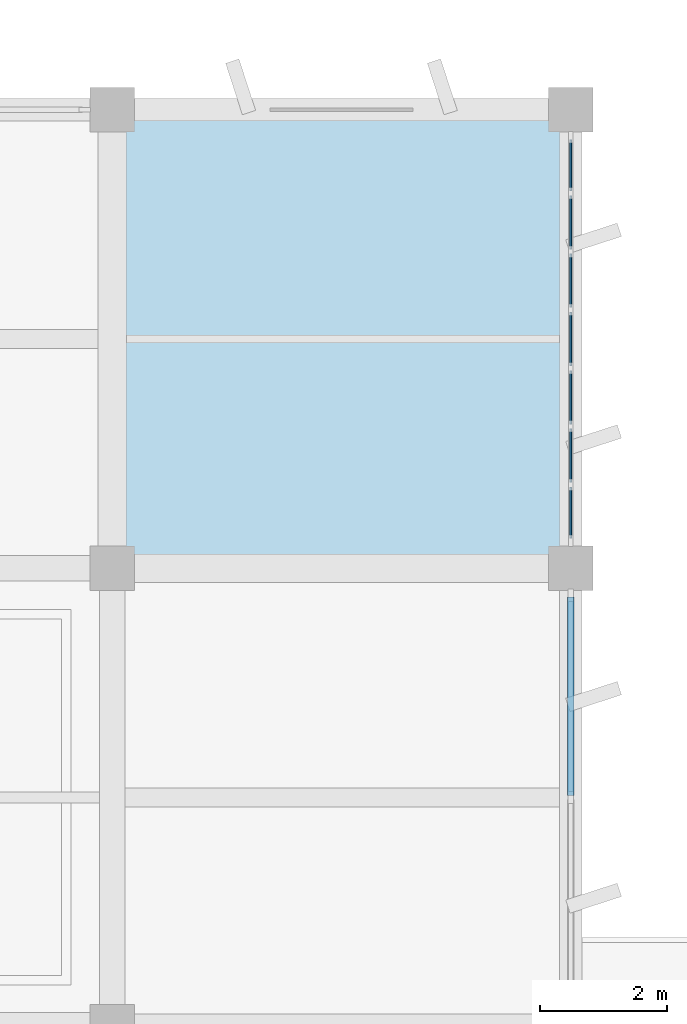
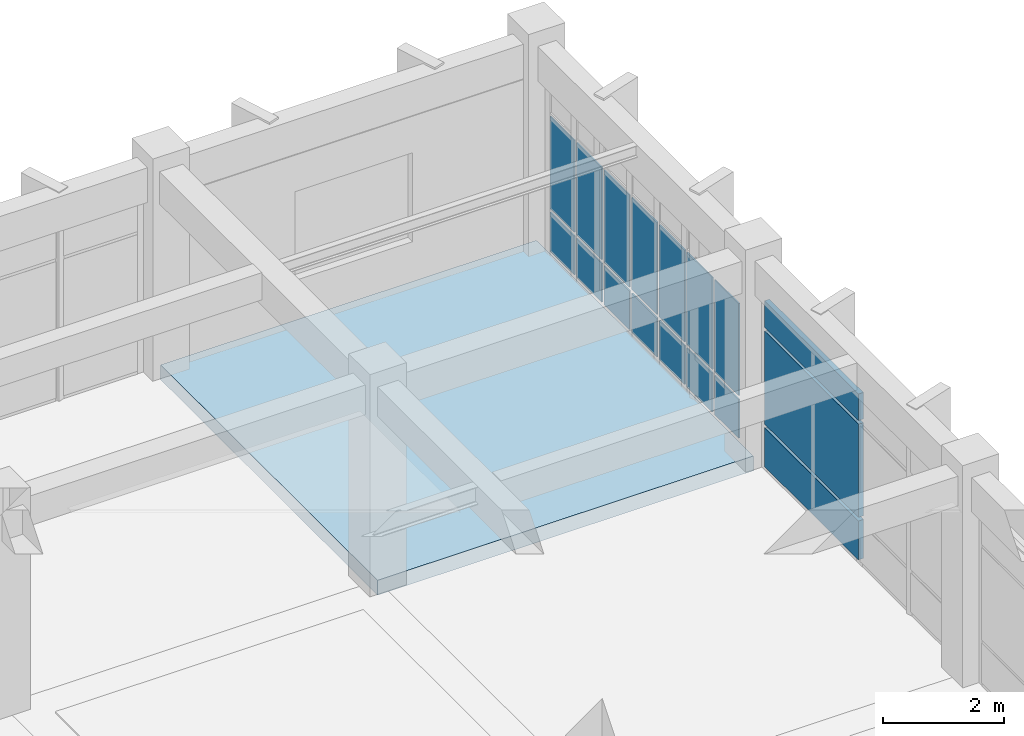
# One storey, part 53 of 81: 17 plates, 1 slab, 2 elements without a shape of their own.
"""IFC4 building model written with IfcOpenShell, lengths in metres."""

from ifc_helpers import new_model, si_unit, direction, frame, origin, origin_2d, place, context, subcontext, project, spatial, polyline, rectangle, outline, extrude, material, layer, layer_set, type_object, element, aggregate, save


model = new_model("IFC4")

# Units and contexts
model_context = context("Model", 3, precision=1e-05, world=origin(), true_north=direction((0.0, 1.0)))
body_context = subcontext(model_context, "Body", "Model", "MODEL_VIEW")
ifc_project = project(units=[si_unit("LENGTHUNIT", "METRE"), si_unit("AREAUNIT", "SQUARE_METRE"), si_unit("VOLUMEUNIT", "CUBIC_METRE"), si_unit("PLANEANGLEUNIT", "RADIAN"), si_unit("MASSUNIT", "GRAM", prefix="KILO")], contexts=[model_context])

# Site, building, storey
site_placement = place(None, origin())
site = spatial("IfcSite", under=ifc_project, at=site_placement, CompositionType="ELEMENT")
building_placement = place(site_placement, origin())
building = spatial("IfcBuilding", under=site, at=building_placement, Name="Kavelor Marine Aquarium", CompositionType="ELEMENT")
storey_placement = place(building_placement, frame((0.0, 0.0, 4.679931640625)))
storey = spatial("IfcBuildingStorey", under=building, at=storey_placement, Name="L01", CompositionType="ELEMENT", Elevation=4.679931640625)

# Curtain wall, plates
ifc_material_1 = material(Name="Thermally Broken Aluminium and Low-E Glass", Category="aluminium")
ifc_layer_1 = layer(ifc_material_1, 0.14794921875)
ifc_layer_set_1 = layer_set([ifc_layer_1], Name="CW-SYS1")
curtain_wall_type_1 = type_object("IfcCurtainWallType", Name="CW-SYS1", PredefinedType="USERDEFINED", material=ifc_layer_set_1)
curtain_wall_1_placement = place(storey_placement, origin())
curtain_wall_1 = element("IfcCurtainWall", 1, at=curtain_wall_1_placement, inside=storey, type_object=curtain_wall_type_1, Name="cw:y:L01:21_14", ObjectType="Curtain Wall", PredefinedType="USERDEFINED")
ifc_material_2 = material(Name="Solar-Control Double Low-E Glazing", Category="glass")
ifc_layer_2 = layer(ifc_material_2, 0.02587890625)
ifc_layer_set_2 = layer_set([ifc_layer_2], Name="CWP-01")
plate_type_1 = type_object("IfcPlateType", Name="CWP-01", PredefinedType="CURTAIN_PANEL", material=ifc_layer_set_2)
plate_1_placement = place(storey_placement, frame((154.39990234375, 104.4716796875, 0.074951171875), z_axis=(0.0, 0.0, 1.0), x_axis=(0.0, 1.0, 0.0)))
plate_1 = element("IfcPlate", 2, at=plate_1_placement, type_object=plate_type_1, Name="CW01 panel 1.1", PredefinedType="CURTAIN_PANEL", context=body_context, shape_type="SweptSolid", body=[
    extrude(rectangle(XDim=0.80322265625, YDim=0.02587890625, at=origin_2d()), origin(), (0.0, 0.0, 1.0), 0.78759765625),
])
plate_2_placement = place(storey_placement, frame((154.39990234375, 104.4716796875, 0.9375), z_axis=(0.0, 0.0, 1.0), x_axis=(0.0, 1.0, 0.0)))
plate_2 = element("IfcPlate", 3, at=plate_2_placement, type_object=plate_type_1, Name="CW01 panel 1.2", PredefinedType="CURTAIN_PANEL", context=body_context, shape_type="SweptSolid", body=[
    extrude(rectangle(XDim=0.80322265625, YDim=0.02587890625, at=origin_2d()), origin(), (0.0, 0.0, 1.0), 1.864990234375),
])
plate_3_placement = place(storey_placement, frame((154.39990234375, 105.36865234375, 0.074951171875), z_axis=(0.0, 0.0, 1.0), x_axis=(0.0, 1.0, 0.0)))
plate_3 = element("IfcPlate", 4, at=plate_3_placement, type_object=plate_type_1, Name="CW01 panel 2.1", PredefinedType="CURTAIN_PANEL", context=body_context, shape_type="SweptSolid", body=[
    extrude(rectangle(XDim=0.8408203125, YDim=0.02587890625, at=origin_2d()), origin(), (0.0, 0.0, 1.0), 0.78759765625),
])
plate_4_placement = place(storey_placement, frame((154.39990234375, 105.36865234375, 0.9375), z_axis=(0.0, 0.0, 1.0), x_axis=(0.0, 1.0, 0.0)))
plate_4 = element("IfcPlate", 5, at=plate_4_placement, type_object=plate_type_1, Name="CW01 panel 2.2", PredefinedType="CURTAIN_PANEL", context=body_context, shape_type="SweptSolid", body=[
    extrude(rectangle(XDim=0.8408203125, YDim=0.02587890625, at=origin_2d()), origin(), (0.0, 0.0, 1.0), 1.864990234375),
])
plate_5_placement = place(storey_placement, frame((154.39990234375, 106.2841796875, 0.074951171875), z_axis=(0.0, 0.0, 1.0), x_axis=(0.0, 1.0, 0.0)))
plate_5 = element("IfcPlate", 6, at=plate_5_placement, type_object=plate_type_1, Name="CW01 panel 3.1", PredefinedType="CURTAIN_PANEL", context=body_context, shape_type="SweptSolid", body=[
    extrude(rectangle(XDim=0.8408203125, YDim=0.02587890625, at=origin_2d()), origin(), (0.0, 0.0, 1.0), 0.78759765625),
])
plate_6_placement = place(storey_placement, frame((154.39990234375, 106.2841796875, 0.9375), z_axis=(0.0, 0.0, 1.0), x_axis=(0.0, 1.0, 0.0)))
plate_6 = element("IfcPlate", 7, at=plate_6_placement, type_object=plate_type_1, Name="CW01 panel 3.2", PredefinedType="CURTAIN_PANEL", context=body_context, shape_type="SweptSolid", body=[
    extrude(rectangle(XDim=0.8408203125, YDim=0.02587890625, at=origin_2d()), origin(), (0.0, 0.0, 1.0), 1.864990234375),
])
plate_7_placement = place(storey_placement, frame((154.39990234375, 107.199951171875, 0.074951171875), z_axis=(0.0, 0.0, 1.0), x_axis=(0.0, 1.0, 0.0)))
plate_7 = element("IfcPlate", 8, at=plate_7_placement, type_object=plate_type_1, Name="CW01 panel 4.1", PredefinedType="CURTAIN_PANEL", context=body_context, shape_type="SweptSolid", body=[
    extrude(rectangle(XDim=0.8408203125, YDim=0.02587890625, at=origin_2d()), origin(), (0.0, 0.0, 1.0), 0.78759765625),
])
plate_8_placement = place(storey_placement, frame((154.39990234375, 107.199951171875, 0.9375), z_axis=(0.0, 0.0, 1.0), x_axis=(0.0, 1.0, 0.0)))
plate_8 = element("IfcPlate", 9, at=plate_8_placement, type_object=plate_type_1, Name="CW01 panel 4.2", PredefinedType="CURTAIN_PANEL", context=body_context, shape_type="SweptSolid", body=[
    extrude(rectangle(XDim=0.8408203125, YDim=0.02587890625, at=origin_2d()), origin(), (0.0, 0.0, 1.0), 1.864990234375),
])
plate_9_placement = place(storey_placement, frame((154.39990234375, 108.11572265625, 0.074951171875), z_axis=(0.0, 0.0, 1.0), x_axis=(0.0, 1.0, 0.0)))
plate_9 = element("IfcPlate", 10, at=plate_9_placement, type_object=plate_type_1, Name="CW01 panel 5.1", PredefinedType="CURTAIN_PANEL", context=body_context, shape_type="SweptSolid", body=[
    extrude(rectangle(XDim=0.8408203125, YDim=0.02587890625, at=origin_2d()), origin(), (0.0, 0.0, 1.0), 0.78759765625),
])
plate_10_placement = place(storey_placement, frame((154.39990234375, 108.11572265625, 0.9375), z_axis=(0.0, 0.0, 1.0), x_axis=(0.0, 1.0, 0.0)))
plate_10 = element("IfcPlate", 11, at=plate_10_placement, type_object=plate_type_1, Name="CW01 panel 5.2", PredefinedType="CURTAIN_PANEL", context=body_context, shape_type="SweptSolid", body=[
    extrude(rectangle(XDim=0.8408203125, YDim=0.02587890625, at=origin_2d()), origin(), (0.0, 0.0, 1.0), 1.864990234375),
])
plate_11_placement = place(storey_placement, frame((154.39990234375, 109.031494140625, 0.074951171875), z_axis=(0.0, 0.0, 1.0), x_axis=(0.0, 1.0, 0.0)))
plate_11 = element("IfcPlate", 12, at=plate_11_placement, type_object=plate_type_1, Name="CW01 panel 6.1", PredefinedType="CURTAIN_PANEL", context=body_context, shape_type="SweptSolid", body=[
    extrude(rectangle(XDim=0.8408203125, YDim=0.02587890625, at=origin_2d()), origin(), (0.0, 0.0, 1.0), 0.78759765625),
])
plate_12_placement = place(storey_placement, frame((154.39990234375, 109.031494140625, 0.9375), z_axis=(0.0, 0.0, 1.0), x_axis=(0.0, 1.0, 0.0)))
plate_12 = element("IfcPlate", 13, at=plate_12_placement, type_object=plate_type_1, Name="CW01 panel 6.2", PredefinedType="CURTAIN_PANEL", context=body_context, shape_type="SweptSolid", body=[
    extrude(rectangle(XDim=0.8408203125, YDim=0.02587890625, at=origin_2d()), origin(), (0.0, 0.0, 1.0), 1.864990234375),
])
plate_13_placement = place(storey_placement, frame((154.39990234375, 109.928466796875, 0.074951171875), z_axis=(0.0, 0.0, 1.0), x_axis=(0.0, 1.0, 0.0)))
plate_13 = element("IfcPlate", 14, at=plate_13_placement, type_object=plate_type_1, Name="CW01 panel 7.1", PredefinedType="CURTAIN_PANEL", context=body_context, shape_type="SweptSolid", body=[
    extrude(rectangle(XDim=0.80322265625, YDim=0.02587890625, at=origin_2d()), origin(), (0.0, 0.0, 1.0), 0.78759765625),
])
plate_14_placement = place(storey_placement, frame((154.39990234375, 109.928466796875, 0.9375), z_axis=(0.0, 0.0, 1.0), x_axis=(0.0, 1.0, 0.0)))
plate_14 = element("IfcPlate", 15, at=plate_14_placement, type_object=plate_type_1, Name="CW01 panel 7.2", PredefinedType="CURTAIN_PANEL", context=body_context, shape_type="SweptSolid", body=[
    extrude(rectangle(XDim=0.80322265625, YDim=0.02587890625, at=origin_2d()), origin(), (0.0, 0.0, 1.0), 1.864990234375),
])
aggregate(curtain_wall_1, [plate_1, plate_2, plate_3, plate_4, plate_5, plate_6, plate_7, plate_8, plate_9, plate_10, plate_11, plate_12, plate_13, plate_14])

ifc_material_3 = material(Name="Thermally Broken Aluminium and Low-E Glass", Category="aluminium")
ifc_layer_3 = layer(ifc_material_3, 0.33203125)
ifc_layer_set_3 = layer_set([ifc_layer_3], Name="CW-SYS24")
curtain_wall_type_2 = type_object("IfcCurtainWallType", Name="CW-SYS24", PredefinedType="USERDEFINED", material=ifc_layer_set_3)
curtain_wall_2_placement = place(storey_placement, origin())
curtain_wall_2 = element("IfcCurtainWall", 16, at=curtain_wall_2_placement, inside=storey, type_object=curtain_wall_type_2, Name="cw:y:L01:21_13", ObjectType="Curtain Wall", PredefinedType="USERDEFINED")
ifc_material_4 = material(Name="Laminated Cast Acrylic Viewing Glazing", Category="glass")
ifc_layer_4 = layer(ifc_material_4, 0.095947265625)
ifc_layer_set_4 = layer_set([ifc_layer_4], Name="CWP-36")
plate_type_2 = type_object("IfcPlateType", Name="CWP-36", PredefinedType="CURTAIN_PANEL", material=ifc_layer_set_4)
plate_15_placement = place(storey_placement, frame((154.39990234375, 101.58740234375, 0.074951171875), z_axis=(0.0, 0.0, 1.0), x_axis=(0.0, 1.0, 0.0)))
plate_15 = element("IfcPlate", 17, at=plate_15_placement, type_object=plate_type_2, Name="CW24 panel 2.1", PredefinedType="CURTAIN_PANEL", context=body_context, shape_type="SweptSolid", body=[
    extrude(rectangle(XDim=3.114990234375, YDim=0.095947265625, at=origin_2d()), origin(), (0.0, 0.0, 1.0), 0.78759765625),
])
plate_16_placement = place(storey_placement, frame((154.39990234375, 101.58740234375, 0.9375), z_axis=(0.0, 0.0, 1.0), x_axis=(0.0, 1.0, 0.0)))
plate_16 = element("IfcPlate", 18, at=plate_16_placement, type_object=plate_type_2, Name="CW24 panel 2.2", PredefinedType="CURTAIN_PANEL", context=body_context, shape_type="SweptSolid", body=[
    extrude(rectangle(XDim=3.114990234375, YDim=0.095947265625, at=origin_2d()), origin(), (0.0, 0.0, 1.0), 1.885009765625),
])
plate_17_placement = place(storey_placement, frame((154.39990234375, 101.58740234375, 2.8974609375), z_axis=(0.0, 0.0, 1.0), x_axis=(0.0, 1.0, 0.0)))
plate_17 = element("IfcPlate", 19, at=plate_17_placement, type_object=plate_type_2, Name="CW24 panel 2.3", PredefinedType="CURTAIN_PANEL", context=body_context, shape_type="SweptSolid", body=[
    extrude(rectangle(XDim=3.114990234375, YDim=0.095947265625, at=origin_2d()), origin(), (0.0, 0.0, 1.0), 0.53759765625),
])
aggregate(curtain_wall_2, [plate_15, plate_16, plate_17])

# Slab
ifc_material_5 = material(Name="Concrete C40/50", Category="concrete")
ifc_layer_5 = layer(ifc_material_5, 0.300048828125)
ifc_layer_set_5 = layer_set([ifc_layer_5], Name="SL-FL1")
slab_type = type_object("IfcSlabType", Name="SL-FL1", PredefinedType="FLOOR", material=ifc_layer_set_5)
slab_placement = place(storey_placement, frame((0.0, 0.0, -0.300048828125)))
element("IfcSlab", 20, at=slab_placement, inside=storey, type_object=slab_type, Name="slab:L01:20_14", PredefinedType="FLOOR", context=body_context, shape_type="SweptSolid", body=[
    extrude(outline(polyline([(147.199951171875, 103.60009765625), (154.39990234375, 103.60009765625), (154.39990234375, 110.800048828125), (147.199951171875, 110.800048828125), (147.199951171875, 103.60009765625)])), origin(), (0.0, 0.0, 1.0), 0.300048828125),
])

save(model, "model.ifc")
